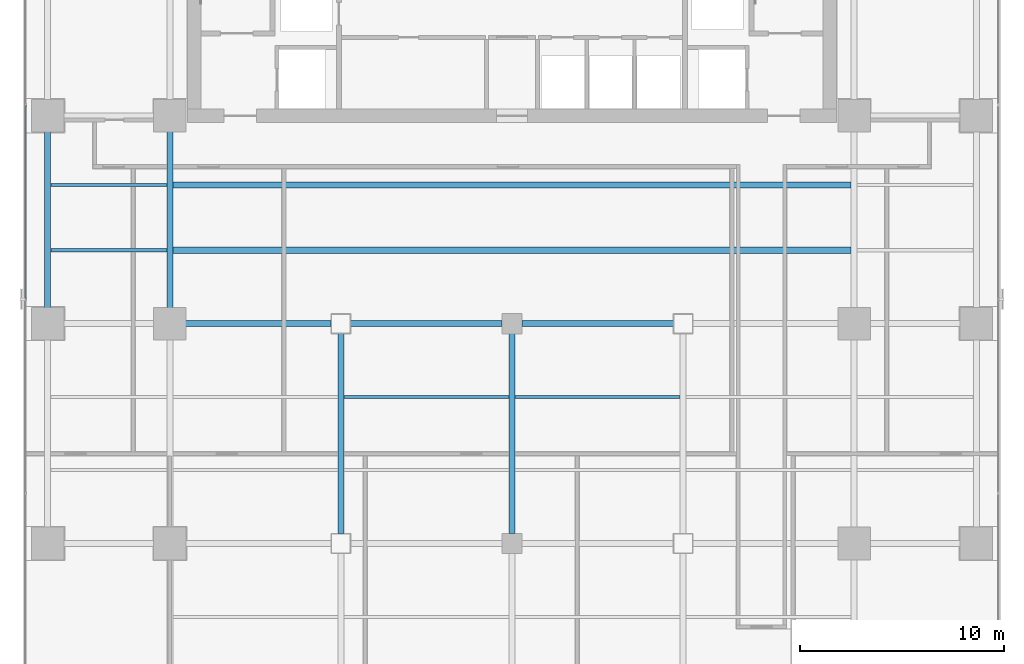
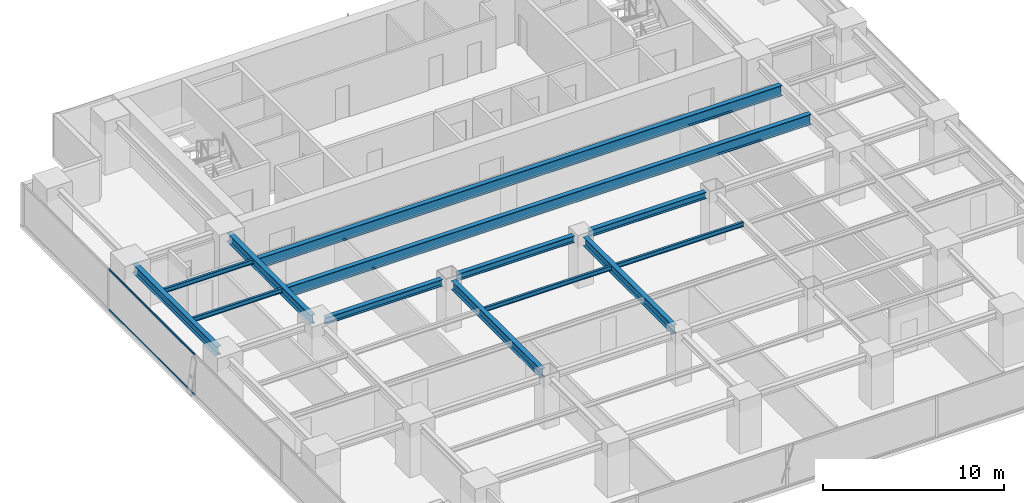
# One storey, part 8 of 28: 13 beams, 2 members, 1 element without a shape of its own.
"""IFC4 building model written with IfcOpenShell, lengths in metres."""

from ifc_helpers import new_model, si_unit, direction, frame, origin, origin_2d, place, context, subcontext, project, spatial, hollow_rectangle, i_section, extrude, source, transform, mapped, material, layer, layer_set, material_profile, profile_set, type_object, element, aggregate, save


model = new_model("IFC4")

# Units and contexts
model_context = context("Model", 3, precision=1e-05, world=origin(), true_north=direction((0.0, 1.0)))
body_context = subcontext(model_context, "Body", "Model", "MODEL_VIEW")
ifc_project = project(units=[si_unit("LENGTHUNIT", "METRE"), si_unit("AREAUNIT", "SQUARE_METRE"), si_unit("VOLUMEUNIT", "CUBIC_METRE"), si_unit("PLANEANGLEUNIT", "RADIAN"), si_unit("MASSUNIT", "GRAM", prefix="KILO")], contexts=[model_context])

# Site, building, storey
site_placement = place(None, origin())
site = spatial("IfcSite", under=ifc_project, at=site_placement, CompositionType="ELEMENT")
building_placement = place(site_placement, origin())
building = spatial("IfcBuilding", under=site, at=building_placement, Name="Sumidabori Civic Tower", CompositionType="ELEMENT")
storey_placement = place(building_placement, frame((0.0, 0.0, 171.199951171875)))
storey = spatial("IfcBuildingStorey", under=building, at=storey_placement, Name="L44", CompositionType="ELEMENT", Elevation=171.199951171875)

# Beams
ifc_material_1 = material(Name="Steel SN490", Category="steel")
ifc_material_profile_1 = material_profile(ifc_material_1, i_section(OverallWidth=0.300048828125, OverallDepth=0.60009765625, WebThickness=0.015380859375, FlangeThickness=0.030029296875, at=origin_2d()), Name="HE 600 B")
ifc_profile_set_1 = profile_set([ifc_material_profile_1], Name="Steel SN490")
beam_type_1 = type_object("IfcBeamType", Name="BM-GIRD-600", PredefinedType="BEAM", material=ifc_profile_set_1)
shared_shape_1 = source(origin(), body_context, "Body", "SweptSolid", [
    extrude(i_section(OverallWidth=0.300048828125, OverallDepth=0.60009765625, WebThickness=0.015380859375, FlangeThickness=0.030029296875, at=origin_2d()), origin(), (0.0, 0.0, 1.0), 9.840087890625),
])
for number, where, z_axis, x_axis, name in (
    (1, (-8.39990234375, -10.320068359375, 3.080078125), (0.0, 1.0, 0.0), (-1.0, 0.0, 0.0), "Primary Girder L44 GY-27"),
    (2, (0.0, -10.320068359375, 3.080078125), (0.0, 1.0, 0.0), (-1.0, 0.0, 0.0), "Primary Girder L44 GY-29"),
):
    element("IfcBeam", number, at=place(storey_placement, frame(where, z_axis=z_axis, x_axis=x_axis)), inside=storey, type_object=beam_type_1, Name=name, PredefinedType="BEAM", context=body_context, shape_type="MappedRepresentation", body=[
        mapped(shared_shape_1, transform((0.0, 0.0, 0.0), x_axis=(1.0, 0.0, 0.0), y_axis=(0.0, 1.0, 0.0), z_axis=(0.0, 0.0, 1.0), scale=1.0)),
    ])
shared_shape_2 = source(origin(), body_context, "Body", "SweptSolid", [
    extrude(i_section(OverallWidth=0.300048828125, OverallDepth=0.60009765625, WebThickness=0.015380859375, FlangeThickness=0.030029296875, at=origin_2d()), origin(), (0.0, 0.0, 1.0), 9.239990234375),
])
for number, where, z_axis, x_axis, name in (
    (3, (-22.800048828125, 0.47998046875, 3.080078125), (0.0, 1.0, 0.0), (-1.0, 0.0, 0.0), "Primary Girder L44 GY-20"),
    (4, (-16.800048828125, 0.47998046875, 3.080078125), (0.0, 1.0, 0.0), (-1.0, 0.0, 0.0), "Primary Girder L44 GY-24"),
):
    element("IfcBeam", number, at=place(storey_placement, frame(where, z_axis=z_axis, x_axis=x_axis)), inside=storey, type_object=beam_type_1, Name=name, PredefinedType="BEAM", context=body_context, shape_type="MappedRepresentation", body=[
        mapped(shared_shape_2, transform((0.0, 0.0, 0.0), x_axis=(1.0, 0.0, 0.0), y_axis=(0.0, 1.0, 0.0), z_axis=(0.0, 0.0, 1.0), scale=1.0)),
    ])
ifc_material_profile_2 = material_profile(ifc_material_1, i_section(OverallWidth=0.300048828125, OverallDepth=0.699951171875, WebThickness=0.01708984375, FlangeThickness=0.031982421875, at=origin_2d()), Name="HE 700 B")
ifc_profile_set_2 = profile_set([ifc_material_profile_2], Name="Steel SN490")
beam_type_2 = type_object("IfcBeamType", Name="BM-GIRD-700", PredefinedType="BEAM", material=ifc_profile_set_2)
shared_shape_3 = source(origin(), body_context, "Body", "SweptSolid", [
    extrude(i_section(OverallWidth=0.300048828125, OverallDepth=0.699951171875, WebThickness=0.01708984375, FlangeThickness=0.031982421875, at=origin_2d()), origin(), (0.0, 0.0, 1.0), 33.2998046875),
])
for number, where, z_axis, x_axis, name in (
    (5, (-16.64990234375, 3.60009765625, 3.030029296875), (1.0, 0.0, 0.0), (0.0, 1.0, 0.0), "North Bay Floor Beam L44 JSTN-47"),
    (6, (-16.64990234375, 6.800048828125, 3.030029296875), (1.0, 0.0, 0.0), (0.0, 1.0, 0.0), "North Bay Floor Beam L44 JSTN-48"),
):
    element("IfcBeam", number, at=place(storey_placement, frame(where, z_axis=z_axis, x_axis=x_axis)), inside=storey, type_object=beam_type_2, Name=name, PredefinedType="BEAM", context=body_context, shape_type="MappedRepresentation", body=[
        mapped(shared_shape_3, transform((0.0, 0.0, 0.0), x_axis=(1.0, 0.0, 0.0), y_axis=(0.0, 1.0, 0.0), z_axis=(0.0, 0.0, 1.0), scale=1.0)),
    ])
ifc_material_profile_3 = material_profile(ifc_material_1, i_section(OverallWidth=0.14990234375, OverallDepth=0.300048828125, WebThickness=0.007080078125, FlangeThickness=0.0107421875, at=origin_2d()), Name="IPE 300")
ifc_profile_set_3 = profile_set([ifc_material_profile_3], Name="Steel SN490")
beam_type_3 = type_object("IfcBeamType", Name="BM-JST-300", PredefinedType="JOIST", material=ifc_profile_set_3)
shared_shape_4 = source(origin(), body_context, "Body", "SweptSolid", [
    extrude(i_section(OverallWidth=0.14990234375, OverallDepth=0.300048828125, WebThickness=0.007080078125, FlangeThickness=0.0107421875, at=origin_2d()), origin(), (0.0, 0.0, 1.0), 5.699951171875),
])
for number, where, z_axis, x_axis, name in (
    (7, (-22.64990234375, 3.60009765625, 3.22998046875), (1.0, 0.0, 0.0), (0.0, 1.0, 0.0), "Outer Bay Floor Joist L44 JSTO-43"),
    (8, (-22.64990234375, 6.800048828125, 3.22998046875), (1.0, 0.0, 0.0), (0.0, 1.0, 0.0), "Outer Bay Floor Joist L44 JSTO-45"),
):
    element("IfcBeam", number, at=place(storey_placement, frame(where, z_axis=z_axis, x_axis=x_axis)), inside=storey, type_object=beam_type_3, Name=name, PredefinedType="JOIST", context=body_context, shape_type="MappedRepresentation", body=[
        mapped(shared_shape_4, transform((0.0, 0.0, 0.0), x_axis=(1.0, 0.0, 0.0), y_axis=(0.0, 1.0, 0.0), z_axis=(0.0, 0.0, 1.0), scale=1.0)),
    ])
shared_shape_5 = source(origin(), body_context, "Body", "SweptSolid", [
    extrude(i_section(OverallWidth=0.14990234375, OverallDepth=0.300048828125, WebThickness=0.007080078125, FlangeThickness=0.0107421875, at=origin_2d()), origin(), (0.0, 0.0, 1.0), 8.10009765625),
])
for number, where, z_axis, x_axis, name in (
    (9, (-8.25, -3.60009765625, 3.22998046875), (1.0, 0.0, 0.0), (0.0, 1.0, 0.0), "South Bay Floor Joist L44 JSTS-58"),
    (10, (0.14990234375, -3.60009765625, 3.22998046875), (1.0, 0.0, 0.0), (0.0, 1.0, 0.0), "South Bay Floor Joist L44 JSTS-59"),
):
    element("IfcBeam", number, at=place(storey_placement, frame(where, z_axis=z_axis, x_axis=x_axis)), inside=storey, type_object=beam_type_3, Name=name, PredefinedType="JOIST", context=body_context, shape_type="MappedRepresentation", body=[
        mapped(shared_shape_5, transform((0.0, 0.0, 0.0), x_axis=(1.0, 0.0, 0.0), y_axis=(0.0, 1.0, 0.0), z_axis=(0.0, 0.0, 1.0), scale=1.0)),
    ])
ifc_material_profile_4 = material_profile(ifc_material_1, i_section(OverallWidth=0.300048828125, OverallDepth=0.449951171875, WebThickness=0.013916015625, FlangeThickness=0.02587890625, at=origin_2d()), Name="HE 450 B")
ifc_profile_set_4 = profile_set([ifc_material_profile_4], Name="Steel SN490")
beam_type_4 = type_object("IfcBeamType", Name="BM-GIRD-450", PredefinedType="BEAM", material=ifc_profile_set_4)
shared_shape_6 = source(origin(), body_context, "Body", "SweptSolid", [
    extrude(i_section(OverallWidth=0.300048828125, OverallDepth=0.449951171875, WebThickness=0.013916015625, FlangeThickness=0.02587890625, at=origin_2d()), origin(), (0.0, 0.0, 1.0), 7.440185546875),
])
beam_placement = place(storey_placement, frame((-16.320068359375, 0.0, 3.155029296875), z_axis=(1.0, 0.0, 0.0), x_axis=(0.0, 1.0, 0.0)))
element("IfcBeam", 11, at=beam_placement, inside=storey, type_object=beam_type_4, Name="Primary Girder L44 GX-12", PredefinedType="BEAM", context=body_context, shape_type="MappedRepresentation", body=[
    mapped(shared_shape_6, transform((0.0, 0.0, 0.0), x_axis=(1.0, 0.0, 0.0), y_axis=(0.0, 1.0, 0.0), z_axis=(0.0, 0.0, 1.0), scale=1.0)),
])
shared_shape_7 = source(origin(), body_context, "Body", "SweptSolid", [
    extrude(i_section(OverallWidth=0.300048828125, OverallDepth=0.449951171875, WebThickness=0.013916015625, FlangeThickness=0.02587890625, at=origin_2d()), origin(), (0.0, 0.0, 1.0), 7.43994140625),
])
for number, where, z_axis, x_axis, name in (
    (12, (-7.919921875, 0.0, 3.155029296875), (1.0, 0.0, 0.0), (0.0, 1.0, 0.0), "Primary Girder L44 GX-13"),
    (13, (0.47998046875, 0.0, 3.155029296875), (1.0, 0.0, 0.0), (0.0, 1.0, 0.0), "Primary Girder L44 GX-14"),
):
    element("IfcBeam", number, at=place(storey_placement, frame(where, z_axis=z_axis, x_axis=x_axis)), inside=storey, type_object=beam_type_4, Name=name, PredefinedType="BEAM", context=body_context, shape_type="MappedRepresentation", body=[
        mapped(shared_shape_7, transform((0.0, 0.0, 0.0), x_axis=(1.0, 0.0, 0.0), y_axis=(0.0, 1.0, 0.0), z_axis=(0.0, 0.0, 1.0), scale=1.0)),
    ])

# Curtain wall, members
ifc_material_2 = material(Name="Anodised Bronze Aluminium AW-6063-T6", Category="aluminium")
ifc_layer = layer(ifc_material_2, 0.179931640625, Name="Anodised Bronze Aluminium AW-6063-T6")
ifc_layer_set = layer_set([ifc_layer], Name="Anodised Bronze Aluminium AW-6063-T6")
curtain_wall_type = type_object("IfcCurtainWallType", Name="CW-SYS-3", PredefinedType="NOTDEFINED", material=ifc_layer_set)
curtain_wall_placement = place(storey_placement, origin())
curtain_wall = element("IfcCurtainWall", 14, at=curtain_wall_placement, inside=storey, type_object=curtain_wall_type, Name="Curtain Wall CW:L44:R10", PredefinedType="NOTDEFINED")
ifc_material_profile_5 = material_profile(ifc_material_2, hollow_rectangle(XDim=0.06005859375, YDim=0.1298828125, WallThickness=0.0048828125, at=origin_2d()), Name="ALU TRANSOM 130x60")
ifc_profile_set_5 = profile_set([ifc_material_profile_5], Name="Anodised Bronze Aluminium AW-6063-T6")
member_type = type_object("IfcMemberType", Name="CW-TRN-130", PredefinedType="USERDEFINED", material=ifc_profile_set_5)
shared_shape_8 = source(origin(), body_context, "Body", "SweptSolid", [
    extrude(hollow_rectangle(XDim=0.06005859375, YDim=0.1298828125, WallThickness=0.0048828125, at=origin_2d()), origin(), (0.0, 0.0, 1.0), 9.469970703125),
])
member_1_placement = place(storey_placement, frame((-23.8798828125, 10.702392578125, 0.030029296875), z_axis=(0.0, -1.0, 0.0), x_axis=(1.0, 0.0, 0.0)))
member_1 = element("IfcMember", 15, at=member_1_placement, type_object=member_type, Name="CW-3 transom 2.1", ObjectType="TRANSOM", PredefinedType="USERDEFINED", context=body_context, shape_type="MappedRepresentation", body=[
    mapped(shared_shape_8, transform((0.0, 0.0, 0.0), x_axis=(1.0, 0.0, 0.0), y_axis=(0.0, 1.0, 0.0), z_axis=(0.0, 0.0, 1.0), scale=1.0)),
])
member_2_placement = place(storey_placement, frame((-23.8798828125, 10.702392578125, 2.72998046875), z_axis=(0.0, -1.0, 0.0), x_axis=(1.0, 0.0, 0.0)))
member_2 = element("IfcMember", 16, at=member_2_placement, type_object=member_type, Name="CW-3 transom 2.2", ObjectType="TRANSOM", PredefinedType="USERDEFINED", context=body_context, shape_type="MappedRepresentation", body=[
    mapped(shared_shape_8, transform((0.0, 0.0, 0.0), x_axis=(1.0, 0.0, 0.0), y_axis=(0.0, 1.0, 0.0), z_axis=(0.0, 0.0, 1.0), scale=1.0)),
])
aggregate(curtain_wall, [member_1, member_2])

save(model, "model.ifc")
